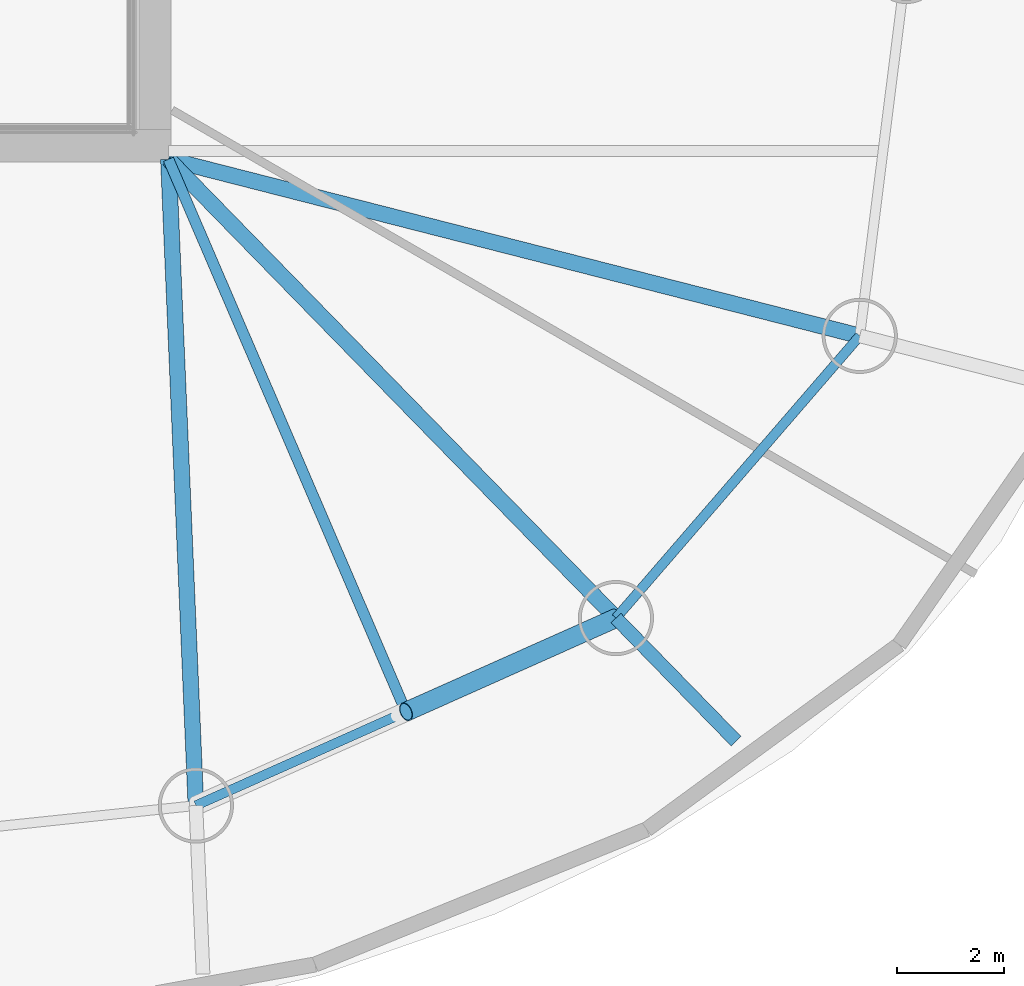
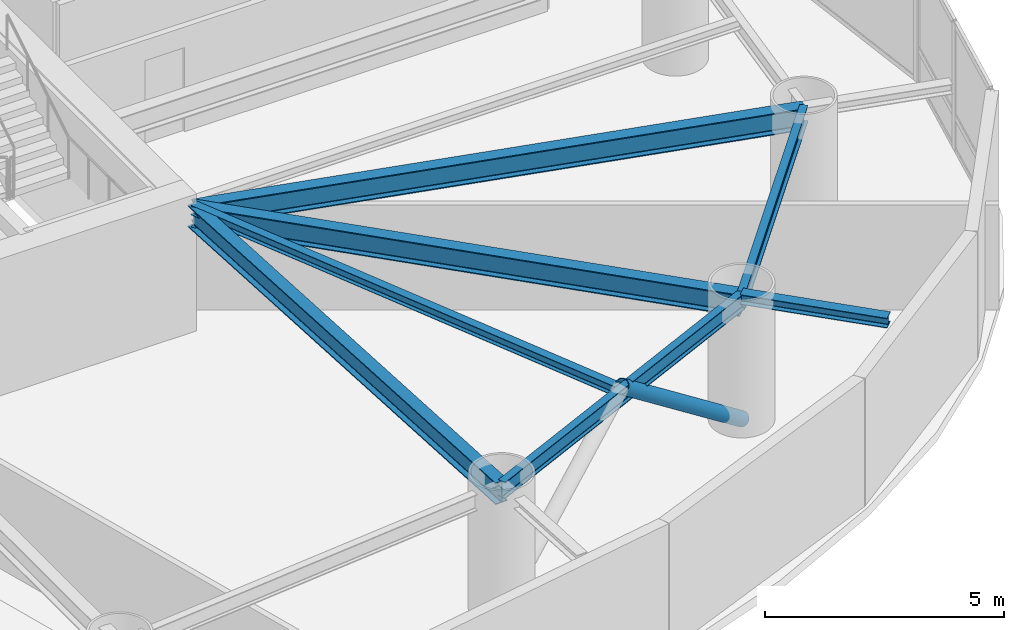
# One storey, part 7 of 22: 7 beams, 1 member.
"""IFC4 building model written with IfcOpenShell, lengths in metres."""

from ifc_helpers import new_model, si_unit, direction, frame, origin, origin_2d, place, context, subcontext, project, spatial, hollow_circle, i_section, extrude, material, material_profile, profile_set, type_object, element, save


model = new_model("IFC4")

# Units and contexts
model_context = context("Model", 3, precision=1e-05, world=origin(), true_north=direction((0.0, 1.0)))
body_context = subcontext(model_context, "Body", "Model", "MODEL_VIEW")
ifc_project = project(units=[si_unit("LENGTHUNIT", "METRE"), si_unit("AREAUNIT", "SQUARE_METRE"), si_unit("VOLUMEUNIT", "CUBIC_METRE"), si_unit("PLANEANGLEUNIT", "RADIAN"), si_unit("MASSUNIT", "GRAM", prefix="KILO")], contexts=[model_context])

# Site, building, storey
site_placement = place(None, origin())
site = spatial("IfcSite", under=ifc_project, at=site_placement, CompositionType="ELEMENT")
building_placement = place(site_placement, origin())
building = spatial("IfcBuilding", under=site, at=building_placement, Name="Bramvorn Convention Spire", CompositionType="ELEMENT")
storey_placement = place(building_placement, frame((0.0, 0.0, 127.300048828125)))
storey = spatial("IfcBuildingStorey", under=building, at=storey_placement, Name="L31", CompositionType="ELEMENT", Elevation=127.300048828125)

# Beams
ifc_material = material(Name="Steel CSA G40.21 Grade 350 (350W)", Category="steel")
ifc_material_profile_1 = material_profile(ifc_material, i_section(OverallWidth=0.201904296875, OverallDepth=0.2470703125, WebThickness=0.00732421875, FlangeThickness=0.010986328125, FilletRadius=0.011962890625, at=origin_2d()))
ifc_profile_set_1 = profile_set([ifc_material_profile_1], Name="Steel CSA G40.21 Grade 350 (350W) - W250X49")
beam_type_1 = type_object("IfcBeamType", Name="BM-W250X49", PredefinedType="JOIST", material=ifc_profile_set_1)
beam_1_placement = place(storey_placement, frame((49.25, 18.550048828125, 3.136474609375), z_axis=(0.394937739893, -0.918707886985, 0.0), x_axis=(0.918707886985, 0.394937739893, 0.0)))
element("IfcBeam", 1, at=beam_1_placement, inside=storey, type_object=beam_type_1, Name="L31 composite floor joist 15", PredefinedType="JOIST", context=body_context, shape_type="SweptSolid", body=[
    extrude(i_section(OverallWidth=0.201904296875, OverallDepth=0.2470703125, WebThickness=0.00732421875, FlangeThickness=0.010986328125, FilletRadius=0.011962890625, at=origin_2d()), origin(), (0.0, 0.0, 1.0), 11.19384765625),
])
ifc_material_profile_2 = material_profile(ifc_material, i_section(OverallWidth=0.25390625, OverallDepth=0.2529296875, WebThickness=0.008544921875, FlangeThickness=0.01416015625, FilletRadius=0.011962890625, at=origin_2d()))
ifc_profile_set_2 = profile_set([ifc_material_profile_2], Name="Steel CSA G40.21 Grade 350 (350W) - W250X73")
beam_type_2 = type_object("IfcBeamType", Name="BM-W250X73", PredefinedType="BEAM", material=ifc_profile_set_2)
beam_2_placement = place(storey_placement, frame((57.579833984375, 10.0107421875, 3.133544921875), z_axis=(0.69827808588, -0.715826595468, 0.0), x_axis=(0.715826595468, 0.69827808588, 0.0)))
element("IfcBeam", 2, at=beam_2_placement, inside=storey, type_object=beam_type_2, Name="L31 slab-edge cantilever tip beam MC16", PredefinedType="BEAM", context=body_context, shape_type="SweptSolid", body=[
    extrude(i_section(OverallWidth=0.25390625, OverallDepth=0.2529296875, WebThickness=0.008544921875, FlangeThickness=0.01416015625, FilletRadius=0.011962890625, at=origin_2d()), origin(), (0.0, 0.0, 1.0), 3.199951171875),
])
ifc_material_profile_3 = material_profile(ifc_material, i_section(OverallWidth=0.180908203125, OverallDepth=0.4169921875, WebThickness=0.010986328125, FlangeThickness=0.018310546875, FilletRadius=0.01611328125, at=origin_2d()))
ifc_profile_set_3 = profile_set([ifc_material_profile_3], Name="Steel CSA G40.21 Grade 350 (350W) - W410X85")
beam_type_3 = type_object("IfcBeamType", Name="BM-W410X85", PredefinedType="JOIST", material=ifc_profile_set_3)
beam_3_placement = place(storey_placement, frame((49.76171875, 6.521240234375, 3.051513671875), z_axis=(0.913169534701, 0.407579931908, 0.0), x_axis=(-0.407579931908, 0.913169534701, 0.0)))
element("IfcBeam", 3, at=beam_3_placement, inside=storey, type_object=beam_type_3, Name="L31 mega-column ring beam 15", PredefinedType="JOIST", context=body_context, shape_type="SweptSolid", body=[
    extrude(i_section(OverallWidth=0.180908203125, OverallDepth=0.4169921875, WebThickness=0.010986328125, FlangeThickness=0.018310546875, FilletRadius=0.01611328125, at=origin_2d()), origin(), (0.0, 0.0, 1.0), 8.5615234375),
])
beam_4_placement = place(storey_placement, frame((57.579833984375, 10.0107421875, 3.051513671875), z_axis=(0.653824993824, 0.756645807132, 0.0), x_axis=(-0.756645807132, 0.653824993824, 0.0)))
element("IfcBeam", 4, at=beam_4_placement, inside=storey, type_object=beam_type_3, Name="L31 mega-column ring beam 16", PredefinedType="JOIST", context=body_context, shape_type="SweptSolid", body=[
    extrude(i_section(OverallWidth=0.180908203125, OverallDepth=0.4169921875, WebThickness=0.010986328125, FlangeThickness=0.018310546875, FilletRadius=0.01611328125, at=origin_2d()), origin(), (0.0, 0.0, 1.0), 6.9404296875),
])
ifc_material_profile_4 = material_profile(ifc_material, i_section(OverallWidth=0.2919921875, OverallDepth=0.551025390625, WebThickness=0.01513671875, FlangeThickness=0.0244140625, FilletRadius=0.01904296875, at=origin_2d()))
ifc_profile_set_4 = profile_set([ifc_material_profile_4], Name="Steel CSA G40.21 Grade 350 (350W) - W530X182")
beam_type_4 = type_object("IfcBeamType", Name="BM-W530X182", PredefinedType="BEAM", material=ifc_profile_set_4)
beam_5_placement = place(storey_placement, frame((49.25, 18.550048828125, 2.984375), z_axis=(0.968872976577, -0.247558387576, 0.0), x_axis=(0.247558387576, 0.968872976577, 0.0)))
element("IfcBeam", 5, at=beam_5_placement, inside=storey, type_object=beam_type_4, Name="L31 radial floor girder MC01", PredefinedType="BEAM", context=body_context, shape_type="SweptSolid", body=[
    extrude(i_section(OverallWidth=0.2919921875, OverallDepth=0.551025390625, WebThickness=0.01513671875, FlangeThickness=0.0244140625, FilletRadius=0.01904296875, at=origin_2d()), origin(), (0.0, 0.0, 1.0), 13.281005859375),
])
beam_6_placement = place(storey_placement, frame((49.25, 18.550048828125, 2.984375), z_axis=(0.042502657955, -0.999096353745, 0.0), x_axis=(0.999096353745, 0.042502657955, 0.0)))
element("IfcBeam", 6, at=beam_6_placement, inside=storey, type_object=beam_type_4, Name="L31 radial floor girder MC15", PredefinedType="BEAM", context=body_context, shape_type="SweptSolid", body=[
    extrude(i_section(OverallWidth=0.2919921875, OverallDepth=0.551025390625, WebThickness=0.01513671875, FlangeThickness=0.0244140625, FilletRadius=0.01904296875, at=origin_2d()), origin(), (0.0, 0.0, 1.0), 12.039794921875),
])
beam_7_placement = place(storey_placement, frame((49.25, 18.550048828125, 2.984375), z_axis=(0.698272445638, -0.715832097397, 0.0), x_axis=(0.715832097397, 0.698272445638, 0.0)))
element("IfcBeam", 7, at=beam_7_placement, inside=storey, type_object=beam_type_4, Name="L31 radial floor girder MC16", PredefinedType="BEAM", context=body_context, shape_type="SweptSolid", body=[
    extrude(i_section(OverallWidth=0.2919921875, OverallDepth=0.551025390625, WebThickness=0.01513671875, FlangeThickness=0.0244140625, FilletRadius=0.01904296875, at=origin_2d()), origin(), (0.0, 0.0, 1.0), 11.92919921875),
])

# Member
ifc_material_profile_5 = material_profile(ifc_material, hollow_circle(Radius=0.177734375, WallThickness=0.015869140625, at=origin_2d()))
ifc_profile_set_5 = profile_set([ifc_material_profile_5], Name="Steel CSA G40.21 Grade 350 (350W) - CHS356X16")
member_type = type_object("IfcMemberType", Name="MBR-CHS356X16", PredefinedType="BRACE", material=ifc_profile_set_5)
member_placement = place(storey_placement, frame((57.579833984375, 10.0107421875, 0.0), z_axis=(-0.726482979428, -0.324242543938, 0.605878909768), x_axis=(0.407566765821, -0.913175411078, 0.0)))
element("IfcMember", 8, at=member_placement, inside=storey, type_object=member_type, Name="L31 perimeter Gothic lancet brace 15B", PredefinedType="BRACE", context=body_context, shape_type="SweptSolid", body=[
    extrude(hollow_circle(Radius=0.177734375, WallThickness=0.015869140625, at=origin_2d()), origin(), (0.0, 0.0, 1.0), 5.380615234375),
])

save(model, "model.ifc")
